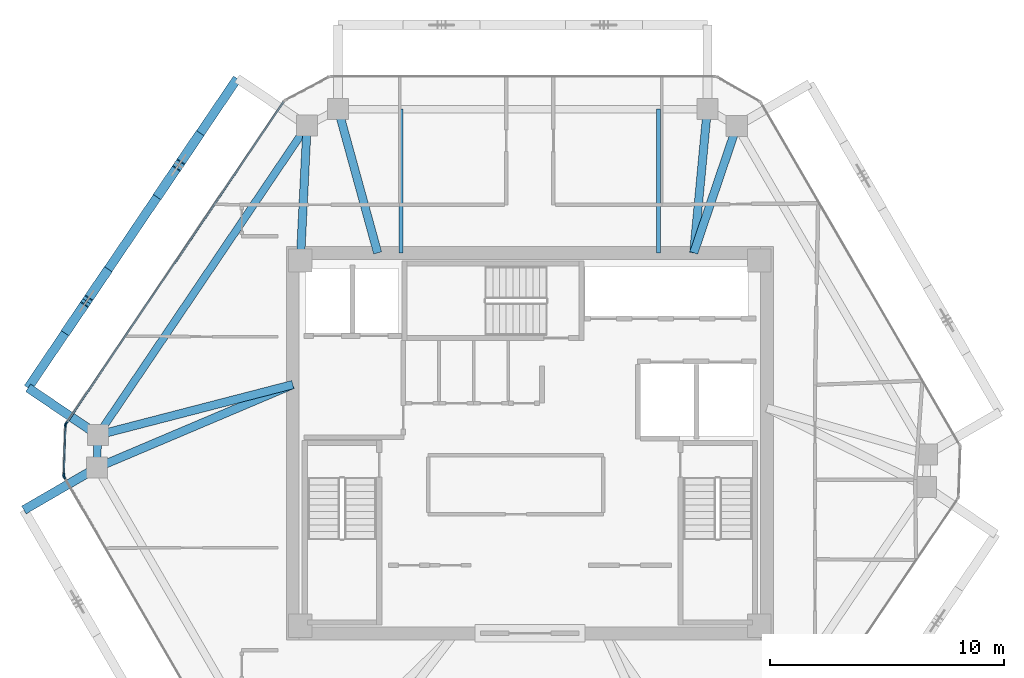
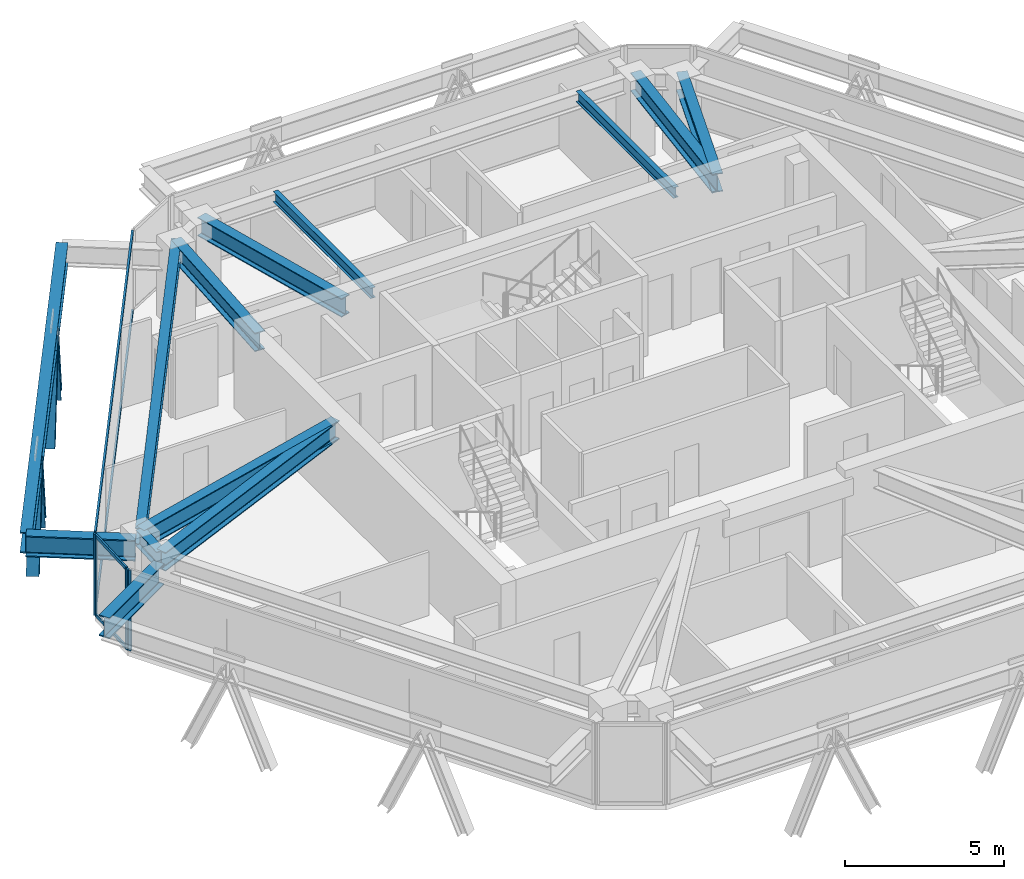
# One storey, part 4 of 14: 13 beams, 12 members, 3 elements without a shape of their own.
"""IFC4 building model written with IfcOpenShell, lengths in metres."""

from ifc_helpers import new_model, si_unit, direction, frame, origin, origin_2d, place, context, subcontext, project, spatial, rectangle, i_section, extrude, source, transform, mapped, material, layer, layer_set, material_profile, profile_set, type_object, type_shapes, element, aggregate, save


model = new_model("IFC4")

# Units and contexts
model_context = context("Model", 3, precision=1e-05, world=origin(), true_north=direction((0.0, 1.0)))
body_context = subcontext(model_context, "Body", "Model", "MODEL_VIEW")
ifc_project = project(units=[si_unit("LENGTHUNIT", "METRE"), si_unit("AREAUNIT", "SQUARE_METRE"), si_unit("VOLUMEUNIT", "CUBIC_METRE"), si_unit("PLANEANGLEUNIT", "RADIAN"), si_unit("MASSUNIT", "GRAM", prefix="KILO")], contexts=[model_context])

# Site, building, storey
site_placement = place(None, origin())
site = spatial("IfcSite", under=ifc_project, at=site_placement, CompositionType="ELEMENT")
building_placement = place(site_placement, origin())
building = spatial("IfcBuilding", under=site, at=building_placement, Name="Durnholm Broadcast Tower", CompositionType="ELEMENT")
storey_placement = place(building_placement, frame((0.0, 0.0, 261.5)))
storey = spatial("IfcBuildingStorey", under=building, at=storey_placement, Name="L73", CompositionType="ELEMENT", Elevation=261.5)

# Beams
ifc_material_1 = material(Name="Steel ASTM A992 Grade 50", Category="steel")
ifc_material_profile_1 = material_profile(ifc_material_1, i_section(OverallWidth=0.385009765625, OverallDepth=0.802978515625, WebThickness=0.023681640625, FlangeThickness=0.0419921875, FilletRadius=0.032958984375, at=origin_2d()), Name="W30X261")
ifc_profile_set_1 = profile_set([ifc_material_profile_1], Name="Steel ASTM A992 Grade 50")
beam_type_1 = type_object("IfcBeamType", Name="BM-EXO-TIE", PredefinedType="USERDEFINED", material=ifc_profile_set_1)
shared_shape_1 = source(origin(), body_context, "Body", "SweptSolid", [
    extrude(i_section(OverallWidth=0.385009765625, OverallDepth=0.802978515625, WebThickness=0.023681640625, FlangeThickness=0.0419921875, FilletRadius=0.032958984375, at=origin_2d()), origin(), (0.0, 0.0, 1.0), 3.4560546875),
])
for number, where, z_axis, x_axis, name in (
    (1, (-18.565673828125, 0.426513671875, 2.348388671875), (-0.828413564093, 0.56011692246, 0.0), (-0.56011692246, -0.828413564093, 0.0), "L73 exoskeleton stand-off tie bracket F5.2"),
    (2, (-18.618896484375, -1.1201171875, 2.348388671875), (-0.864876013532, -0.501985538852, 0.0), (0.501985538852, -0.864876013532, 0.0), "L73 exoskeleton stand-off tie bracket F6.1"),
):
    element("IfcBeam", number, at=place(storey_placement, frame(where, z_axis=z_axis, x_axis=x_axis)), inside=storey, type_object=beam_type_1, Name=name, ObjectType="GIRDER", PredefinedType="USERDEFINED", context=body_context, shape_type="MappedRepresentation", body=[
        mapped(shared_shape_1, transform((0.0, 0.0, 0.0), x_axis=(1.0, 0.0, 0.0), y_axis=(0.0, 1.0, 0.0), z_axis=(0.0, 0.0, 1.0), scale=1.0)),
    ])
ifc_material_profile_2 = material_profile(ifc_material_1, i_section(OverallWidth=0.3251953125, OverallDepth=0.6162109375, WebThickness=0.013916015625, FlangeThickness=0.021484375, FilletRadius=0.02783203125, at=origin_2d()), Name="W24X117")
ifc_profile_set_2 = profile_set([ifc_material_profile_2], Name="Steel ASTM A992 Grade 50")
beam_type_2 = type_object("IfcBeamType", Name="STL-SP-W24X117", PredefinedType="SPANDREL", material=ifc_profile_set_2)
shared_shape_2 = source(origin(), body_context, "Body", "SweptSolid", [
    extrude(i_section(OverallWidth=0.3251953125, OverallDepth=0.6162109375, WebThickness=0.013916015625, FlangeThickness=0.021484375, FilletRadius=0.02783203125, at=origin_2d()), origin(), (0.0, 0.0, 1.0), 1.39453125),
])
beam_1_placement = place(storey_placement, frame((-18.494384765625, -1.0478515625, 2.77685546875), z_axis=(0.034486393061, 0.999405167434, 0.0), x_axis=(-0.999405167434, 0.034486393061, 0.0)))
element("IfcBeam", 3, at=beam_1_placement, inside=storey, type_object=beam_type_2, Name="L73 perimeter spandrel girder 02", PredefinedType="SPANDREL", context=body_context, shape_type="MappedRepresentation", body=[
    mapped(shared_shape_2, transform((0.0, 0.0, 0.0), x_axis=(1.0, 0.0, 0.0), y_axis=(0.0, 1.0, 0.0), z_axis=(0.0, 0.0, 1.0), scale=1.0)),
])
shared_shape_3 = source(origin(), body_context, "Body", "SweptSolid", [
    extrude(i_section(OverallWidth=0.3251953125, OverallDepth=0.6162109375, WebThickness=0.013916015625, FlangeThickness=0.021484375, FilletRadius=0.02783203125, at=origin_2d()), origin(), (0.0, 0.0, 1.0), 15.947265625),
])
type_shapes(beam_type_2, [shared_shape_2, shared_shape_3])
beam_2_placement = place(storey_placement, frame((-18.4462890625, 0.345947265625, 2.77685546875), z_axis=(0.560062212489, 0.828450552623, 0.0), x_axis=(-0.828450552623, 0.560062212489, 0.0)))
element("IfcBeam", 4, at=beam_2_placement, inside=storey, type_object=beam_type_2, Name="L73 perimeter spandrel girder 03", PredefinedType="SPANDREL", context=body_context, shape_type="MappedRepresentation", body=[
    mapped(shared_shape_3, transform((0.0, 0.0, 0.0), x_axis=(1.0, 0.0, 0.0), y_axis=(0.0, 1.0, 0.0), z_axis=(0.0, 0.0, 1.0), scale=1.0)),
])
ifc_material_profile_3 = material_profile(ifc_material_1, i_section(OverallWidth=0.3564453125, OverallDepth=0.713623046875, WebThickness=0.01904296875, FlangeThickness=0.033935546875, FilletRadius=0.030517578125, at=origin_2d()), Name="W27X194")
ifc_profile_set_3 = profile_set([ifc_material_profile_3], Name="Steel ASTM A992 Grade 50")
beam_type_3 = type_object("IfcBeamType", Name="STL-GR-W27X194", PredefinedType="USERDEFINED", material=ifc_profile_set_3)
shared_shape_4 = source(origin(), body_context, "Body", "SweptSolid", [
    extrude(i_section(OverallWidth=0.3564453125, OverallDepth=0.713623046875, WebThickness=0.01904296875, FlangeThickness=0.033935546875, FilletRadius=0.030517578125, at=origin_2d()), origin(), (0.0, 0.0, 1.0), 5.764404296875),
])
beam_3_placement = place(storey_placement, frame((-9.800048828125, 7.800048828125, 2.728271484375), z_axis=(0.049468662109, 0.99877567625, 0.0), x_axis=(-0.99877567625, 0.049468662109, 0.0)))
element("IfcBeam", 5, at=beam_3_placement, inside=storey, type_object=beam_type_3, Name="L73 radial primary floor girder 04", ObjectType="GIRDER", PredefinedType="USERDEFINED", context=body_context, shape_type="MappedRepresentation", body=[
    mapped(shared_shape_4, transform((0.0, 0.0, 0.0), x_axis=(1.0, 0.0, 0.0), y_axis=(0.0, 1.0, 0.0), z_axis=(0.0, 0.0, 1.0), scale=1.0)),
])
shared_shape_5 = source(origin(), body_context, "Body", "SweptSolid", [
    extrude(i_section(OverallWidth=0.385009765625, OverallDepth=0.802978515625, WebThickness=0.023681640625, FlangeThickness=0.0419921875, FilletRadius=0.032958984375, at=origin_2d()), origin(), (0.0, 0.0, 1.0), 15.947021484375),
])
type_shapes(beam_type_1, [shared_shape_1, shared_shape_5])
beam_4_placement = place(storey_placement, frame((-12.497314453125, 15.573486328125, 2.348388671875), z_axis=(-0.560069315853, -0.828445750451, 0.0), x_axis=(0.828445750451, -0.560069315853, 0.0)))
element("IfcBeam", 6, at=beam_4_placement, inside=storey, type_object=beam_type_1, Name="L73 exoskeleton collector spandrel F5", PredefinedType="SPANDREL", context=body_context, shape_type="MappedRepresentation", body=[
    mapped(shared_shape_5, transform((0.0, 0.0, 0.0), x_axis=(1.0, 0.0, 0.0), y_axis=(0.0, 1.0, 0.0), z_axis=(0.0, 0.0, 1.0), scale=1.0)),
])
shared_shape_6 = source(origin(), body_context, "Body", "SweptSolid", [
    extrude(i_section(OverallWidth=0.3564453125, OverallDepth=0.713623046875, WebThickness=0.01904296875, FlangeThickness=0.033935546875, FilletRadius=0.030517578125, at=origin_2d()), origin(), (0.0, 0.0, 1.0), 9.09033203125),
])
beam_5_placement = place(storey_placement, frame((-10.125, 2.5, 2.728271484375), z_axis=(-0.920692350722, -0.390289117607, 0.0), x_axis=(0.390289117607, -0.920692350722, 0.0)))
element("IfcBeam", 7, at=beam_5_placement, inside=storey, type_object=beam_type_3, Name="L73 radial primary floor girder 02", ObjectType="GIRDER", PredefinedType="USERDEFINED", context=body_context, shape_type="MappedRepresentation", body=[
    mapped(shared_shape_6, transform((0.0, 0.0, 0.0), x_axis=(1.0, 0.0, 0.0), y_axis=(0.0, 1.0, 0.0), z_axis=(0.0, 0.0, 1.0), scale=1.0)),
])
shared_shape_7 = source(origin(), body_context, "Body", "SweptSolid", [
    extrude(i_section(OverallWidth=0.3564453125, OverallDepth=0.713623046875, WebThickness=0.01904296875, FlangeThickness=0.033935546875, FilletRadius=0.030517578125, at=origin_2d()), origin(), (0.0, 0.0, 1.0), 8.595458984375),
])
beam_6_placement = place(storey_placement, frame((-10.125, 2.5, 2.728271484375), z_axis=(-0.968090619149, -0.250600385306, 0.0), x_axis=(0.250600385306, -0.968090619149, 0.0)))
element("IfcBeam", 8, at=beam_6_placement, inside=storey, type_object=beam_type_3, Name="L73 radial primary floor girder 03", ObjectType="GIRDER", PredefinedType="USERDEFINED", context=body_context, shape_type="MappedRepresentation", body=[
    mapped(shared_shape_7, transform((0.0, 0.0, 0.0), x_axis=(1.0, 0.0, 0.0), y_axis=(0.0, 1.0, 0.0), z_axis=(0.0, 0.0, 1.0), scale=1.0)),
])
shared_shape_8 = source(origin(), body_context, "Body", "SweptSolid", [
    extrude(i_section(OverallWidth=0.3564453125, OverallDepth=0.713623046875, WebThickness=0.01904296875, FlangeThickness=0.033935546875, FilletRadius=0.030517578125, at=origin_2d()), origin(), (0.0, 0.0, 1.0), 6.36474609375),
])
beam_7_placement = place(storey_placement, frame((-6.5, 8.125, 2.728271484375), z_axis=(-0.265168072834, 0.96420220553, 0.0), x_axis=(-0.96420220553, -0.265168072834, 0.0)))
element("IfcBeam", 9, at=beam_7_placement, inside=storey, type_object=beam_type_3, Name="L73 radial primary floor girder 05", ObjectType="GIRDER", PredefinedType="USERDEFINED", context=body_context, shape_type="MappedRepresentation", body=[
    mapped(shared_shape_8, transform((0.0, 0.0, 0.0), x_axis=(1.0, 0.0, 0.0), y_axis=(0.0, 1.0, 0.0), z_axis=(0.0, 0.0, 1.0), scale=1.0)),
])
shared_shape_9 = source(origin(), body_context, "Body", "SweptSolid", [
    extrude(i_section(OverallWidth=0.3564453125, OverallDepth=0.713623046875, WebThickness=0.01904296875, FlangeThickness=0.033935546875, FilletRadius=0.030517578125, at=origin_2d()), origin(), (0.0, 0.0, 1.0), 6.164306640625),
])
beam_8_placement = place(storey_placement, frame((7.0, 8.125, 2.728271484375), z_axis=(0.094024068139, 0.995569924521, 0.0), x_axis=(-0.995569924521, 0.094024068139, 0.0)))
element("IfcBeam", 10, at=beam_8_placement, inside=storey, type_object=beam_type_3, Name="L73 radial primary floor girder 06", ObjectType="GIRDER", PredefinedType="USERDEFINED", context=body_context, shape_type="MappedRepresentation", body=[
    mapped(shared_shape_9, transform((0.0, 0.0, 0.0), x_axis=(1.0, 0.0, 0.0), y_axis=(0.0, 1.0, 0.0), z_axis=(0.0, 0.0, 1.0), scale=1.0)),
])
shared_shape_10 = source(origin(), body_context, "Body", "SweptSolid", [
    extrude(i_section(OverallWidth=0.3564453125, OverallDepth=0.713623046875, WebThickness=0.01904296875, FlangeThickness=0.033935546875, FilletRadius=0.030517578125, at=origin_2d()), origin(), (0.0, 0.0, 1.0), 5.716064453125),
])
type_shapes(beam_type_3, [shared_shape_4, shared_shape_6, shared_shape_7, shared_shape_8, shared_shape_9, shared_shape_10])
beam_9_placement = place(storey_placement, frame((7.0, 8.125, 2.728271484375), z_axis=(0.321450919754, 0.946926241156, 0.0), x_axis=(-0.946926241156, 0.321450919754, 0.0)))
element("IfcBeam", 11, at=beam_9_placement, inside=storey, type_object=beam_type_3, Name="L73 radial primary floor girder 07", ObjectType="GIRDER", PredefinedType="USERDEFINED", context=body_context, shape_type="MappedRepresentation", body=[
    mapped(shared_shape_10, transform((0.0, 0.0, 0.0), x_axis=(1.0, 0.0, 0.0), y_axis=(0.0, 1.0, 0.0), z_axis=(0.0, 0.0, 1.0), scale=1.0)),
])
ifc_material_profile_4 = material_profile(ifc_material_1, i_section(OverallWidth=0.177734375, OverallDepth=0.40673828125, WebThickness=0.0078125, FlangeThickness=0.0126953125, FilletRadius=0.01904296875, at=origin_2d()), Name="W16X40")
ifc_profile_set_4 = profile_set([ifc_material_profile_4], Name="Steel ASTM A992 Grade 50")
beam_type_4 = type_object("IfcBeamType", Name="STL-BJ-W16X40", PredefinedType="JOIST", material=ifc_profile_set_4)
shared_shape_11 = source(origin(), body_context, "Body", "SweptSolid", [
    extrude(i_section(OverallWidth=0.177734375, OverallDepth=0.40673828125, WebThickness=0.0078125, FlangeThickness=0.0126953125, FilletRadius=0.01904296875, at=origin_2d()), origin(), (0.0, 0.0, 1.0), 6.136962890625),
])
type_shapes(beam_type_4, [shared_shape_11])
for number, where, z_axis, x_axis, name in (
    (12, (-5.5, 8.125, 2.881591796875), (0.0, 1.0, 0.0), (-1.0, 0.0, 0.0), "L73 secondary floor joist 3.2"),
    (13, (5.5, 8.125, 2.881591796875), (0.0, 1.0, 0.0), (-1.0, 0.0, 0.0), "L73 secondary floor joist 4.2"),
):
    element("IfcBeam", number, at=place(storey_placement, frame(where, z_axis=z_axis, x_axis=x_axis)), inside=storey, type_object=beam_type_4, Name=name, PredefinedType="JOIST", context=body_context, shape_type="MappedRepresentation", body=[
        mapped(shared_shape_11, transform((0.0, 0.0, 0.0), x_axis=(1.0, 0.0, 0.0), y_axis=(0.0, 1.0, 0.0), z_axis=(0.0, 0.0, 1.0), scale=1.0)),
    ])

# Members
ifc_material_2 = material(Name="Steel ASTM A913 Grade 65", Category="steel")
ifc_material_profile_5 = material_profile(ifc_material_2, i_section(OverallWidth=0.40625, OverallDepth=0.416015625, WebThickness=0.02978515625, FlangeThickness=0.048095703125, FilletRadius=0.030517578125, at=origin_2d()), Name="W14X257")
ifc_profile_set_5 = profile_set([ifc_material_profile_5], Name="Steel ASTM A913 Grade 65")
member_type_1 = type_object("IfcMemberType", Name="STL-DG-W14X257", PredefinedType="BRACE", material=ifc_profile_set_5)
shared_shape_12 = source(origin(), body_context, "Body", "SweptSolid", [
    extrude(i_section(OverallWidth=0.40625, OverallDepth=0.416015625, WebThickness=0.02978515625, FlangeThickness=0.048095703125, FilletRadius=0.030517578125, at=origin_2d()), origin(), (0.0, 0.0, 1.0), 3.644287109375),
])
type_shapes(member_type_1, [shared_shape_12])
for number, where, z_axis, x_axis, name in (
    (14, (-14.181396484375, 13.08251953125, -0.991455078125), (-0.224086200868, -0.331540391059, 0.916442220588), (0.828505003222, -0.559981660089, 0.0), "L73 stand-off diagrid brace F5.D1.1"),
    (15, (-15.814697265625, 10.666259765625, -0.991455078125), (0.224091177564, 0.331480761311, 0.916462573714), (-0.828452496411, 0.560059337206, 0.0), "L73 stand-off diagrid brace F5.D1.2"),
    (16, (-18.111328125, 7.269287109375, -0.991455078125), (-0.224091177564, -0.331480761311, 0.916462573714), (0.828452496411, -0.560059337206, 0.0), "L73 stand-off diagrid brace F5.D2.1"),
    (17, (-19.74462890625, 4.853271484375, -0.991455078125), (0.224091177564, 0.331480761311, 0.916462573714), (-0.828452496411, 0.560059337206, 0.0), "L73 stand-off diagrid brace F5.D2.2"),
):
    element("IfcMember", number, at=place(storey_placement, frame(where, z_axis=z_axis, x_axis=x_axis)), inside=storey, type_object=member_type_1, Name=name, PredefinedType="BRACE", context=body_context, shape_type="MappedRepresentation", body=[
        mapped(shared_shape_12, transform((0.0, 0.0, 0.0), x_axis=(1.0, 0.0, 0.0), y_axis=(0.0, 1.0, 0.0), z_axis=(0.0, 0.0, 1.0), scale=1.0)),
    ])

# Curtain wall, members
ifc_material_3 = material(Name="Aluminium and Solar Control IGU", Category="aluminium")
ifc_layer_1 = layer(ifc_material_3, 0.1650390625)
ifc_layer_set_1 = layer_set([ifc_layer_1], Name="Aluminium and Solar Control IGU")
curtain_wall_type_1 = type_object("IfcCurtainWallType", Name="CW-SYS-5", PredefinedType="NOTDEFINED", material=ifc_layer_set_1)
curtain_wall_1_placement = place(storey_placement, origin())
curtain_wall_1 = element("IfcCurtainWall", 18, at=curtain_wall_1_placement, inside=storey, type_object=curtain_wall_type_1, Name="L73 curtain wall CW-CORNER CW-L73-CRN-01", PredefinedType="NOTDEFINED")
ifc_material_4 = material(Name="Aluminium 6063-T6", Category="aluminium")
ifc_material_profile_6 = material_profile(ifc_material_4, rectangle(XDim=0.06494140625, YDim=0.1298828125, at=origin_2d()), Name="CWT65X130")
ifc_profile_set_6 = profile_set([ifc_material_profile_6], Name="Aluminium 6063-T6")
member_type_2 = type_object("IfcMemberType", Name="CW-SYS-5-TRN", PredefinedType="USERDEFINED", material=ifc_profile_set_6)
shared_shape_13 = source(origin(), body_context, "Body", "SweptSolid", [
    extrude(rectangle(XDim=0.06494140625, YDim=0.1298828125, at=origin_2d()), origin(), (0.0, 0.0, 1.0), 2.070068359375),
])
type_shapes(member_type_2, [shared_shape_13])
member_1_placement = place(storey_placement, frame((-19.905029296875, -1.33740234375, 0.032470703125), z_axis=(0.034320104965, 0.999410891673, 0.0), x_axis=(-0.999410891673, 0.034320104965, 0.0)))
member_1 = element("IfcMember", 19, at=member_1_placement, type_object=member_type_2, Name="CW-CORNER transom 1.1", ObjectType="TRANSOM", PredefinedType="USERDEFINED", context=body_context, shape_type="MappedRepresentation", body=[
    mapped(shared_shape_13, transform((0.0, 0.0, 0.0), x_axis=(1.0, 0.0, 0.0), y_axis=(0.0, 1.0, 0.0), z_axis=(0.0, 0.0, 1.0), scale=1.0)),
])
member_2_placement = place(storey_placement, frame((-19.905029296875, -1.33740234375, 3.0673828125), z_axis=(0.034320104965, 0.999410891673, 0.0), x_axis=(-0.999410891673, 0.034320104965, 0.0)))
member_2 = element("IfcMember", 20, at=member_2_placement, type_object=member_type_2, Name="CW-CORNER transom 1.2", ObjectType="TRANSOM", PredefinedType="USERDEFINED", context=body_context, shape_type="MappedRepresentation", body=[
    mapped(shared_shape_13, transform((0.0, 0.0, 0.0), x_axis=(1.0, 0.0, 0.0), y_axis=(0.0, 1.0, 0.0), z_axis=(0.0, 0.0, 1.0), scale=1.0)),
])

ifc_layer_2 = layer(ifc_material_3, 0.18994140625)
ifc_layer_set_2 = layer_set([ifc_layer_2], Name="Aluminium and Solar Control IGU")
curtain_wall_type_2 = type_object("IfcCurtainWallType", Name="CW-SYS-4", PredefinedType="NOTDEFINED", material=ifc_layer_set_2)
curtain_wall_2_placement = place(storey_placement, origin())
curtain_wall_2 = element("IfcCurtainWall", 21, at=curtain_wall_2_placement, inside=storey, type_object=curtain_wall_type_2, Name="L73 curtain wall CW-Z34-VIS CW-L73-F02", PredefinedType="NOTDEFINED")
ifc_material_profile_7 = material_profile(ifc_material_4, rectangle(XDim=0.070068359375, YDim=0.14990234375, at=origin_2d()), Name="CWT70X150")
ifc_profile_set_7 = profile_set([ifc_material_profile_7], Name="Aluminium 6063-T6")
member_type_3 = type_object("IfcMemberType", Name="CW-SYS-4-TRN", PredefinedType="USERDEFINED", material=ifc_profile_set_7)
shared_shape_14 = source(origin(), body_context, "Body", "SweptSolid", [
    extrude(rectangle(XDim=0.070068359375, YDim=0.14990234375, at=origin_2d()), origin(), (0.0, 0.0, 1.0), 16.55859375),
])
type_shapes(member_type_3, [shared_shape_14])
member_3_placement = place(storey_placement, frame((-19.79248046875, 0.8544921875, 0.034912109375), z_axis=(0.560071338091, 0.828444383317, 0.0), x_axis=(-0.828444383317, 0.560071338091, 0.0)))
member_3 = element("IfcMember", 22, at=member_3_placement, type_object=member_type_3, Name="CW-Z34-VIS transom 1.1", ObjectType="TRANSOM", PredefinedType="USERDEFINED", context=body_context, shape_type="MappedRepresentation", body=[
    mapped(shared_shape_14, transform((0.0, 0.0, 0.0), x_axis=(1.0, 0.0, 0.0), y_axis=(0.0, 1.0, 0.0), z_axis=(0.0, 0.0, 1.0), scale=1.0)),
])
member_4_placement = place(storey_placement, frame((-19.79248046875, 0.8544921875, 3.06494140625), z_axis=(0.560071338091, 0.828444383317, 0.0), x_axis=(-0.828444383317, 0.560071338091, 0.0)))
member_4 = element("IfcMember", 23, at=member_4_placement, type_object=member_type_3, Name="CW-Z34-VIS transom 1.2", ObjectType="TRANSOM", PredefinedType="USERDEFINED", context=body_context, shape_type="MappedRepresentation", body=[
    mapped(shared_shape_14, transform((0.0, 0.0, 0.0), x_axis=(1.0, 0.0, 0.0), y_axis=(0.0, 1.0, 0.0), z_axis=(0.0, 0.0, 1.0), scale=1.0)),
])

# Member
ifc_material_profile_8 = material_profile(ifc_material_4, rectangle(XDim=0.06494140625, YDim=0.1650390625, at=origin_2d()), Name="CWM65X165")
ifc_profile_set_8 = profile_set([ifc_material_profile_8], Name="Aluminium 6063-T6")
member_type_4 = type_object("IfcMemberType", Name="CW-SYS-5-MUL", PredefinedType="MULLION", material=ifc_profile_set_8)
shared_shape_15 = source(origin(), body_context, "Body", "SweptSolid", [
    extrude(rectangle(XDim=0.06494140625, YDim=0.1650390625, at=origin_2d()), origin(), (0.0, 0.0, 1.0), 3.10009765625),
])
type_shapes(member_type_4, [shared_shape_15])
member_5_placement = place(storey_placement, frame((-19.90625, -1.369873046875, 0.0), z_axis=(0.0, 0.0, 1.0), x_axis=(-0.999410955514, 0.034318245849, 0.0)))
member_5 = element("IfcMember", 24, at=member_5_placement, type_object=member_type_4, Name="CW-CORNER mullion 1", PredefinedType="MULLION", context=body_context, shape_type="MappedRepresentation", body=[
    mapped(shared_shape_15, transform((0.0, 0.0, 0.0), x_axis=(1.0, 0.0, 0.0), y_axis=(0.0, 1.0, 0.0), z_axis=(0.0, 0.0, 1.0), scale=1.0)),
])

member_6_placement = place(storey_placement, frame((-19.8330078125, 0.763916015625, 0.0), z_axis=(0.0, 0.0, 1.0), x_axis=(-0.999410955514, 0.034318245849, 0.0)))
member_6 = element("IfcMember", 25, at=member_6_placement, type_object=member_type_4, Name="CW-CORNER mullion 2", PredefinedType="MULLION", context=body_context, shape_type="MappedRepresentation", body=[
    mapped(shared_shape_15, transform((0.0, 0.0, 0.0), x_axis=(1.0, 0.0, 0.0), y_axis=(0.0, 1.0, 0.0), z_axis=(0.0, 0.0, 1.0), scale=1.0)),
])

aggregate(curtain_wall_1, [member_5, member_6, member_1, member_2])

ifc_material_profile_9 = material_profile(ifc_material_4, rectangle(XDim=0.070068359375, YDim=0.18994140625, at=origin_2d()), Name="CWM70X190")
ifc_profile_set_9 = profile_set([ifc_material_profile_9], Name="Aluminium 6063-T6")
member_type_5 = type_object("IfcMemberType", Name="CW-SYS-4-MUL", PredefinedType="MULLION", material=ifc_profile_set_9)
shared_shape_16 = source(origin(), body_context, "Body", "SweptSolid", [
    extrude(rectangle(XDim=0.070068359375, YDim=0.18994140625, at=origin_2d()), origin(), (0.0, 0.0, 1.0), 3.10009765625),
])
type_shapes(member_type_5, [shared_shape_16])
member_7_placement = place(storey_placement, frame((-19.812255859375, 0.825439453125, 0.0), z_axis=(0.0, 0.0, 1.0), x_axis=(-0.828443431662, 0.560072745753, 0.0)))
member_7 = element("IfcMember", 26, at=member_7_placement, type_object=member_type_5, Name="CW-Z34-VIS mullion 1", PredefinedType="MULLION", context=body_context, shape_type="MappedRepresentation", body=[
    mapped(shared_shape_16, transform((0.0, 0.0, 0.0), x_axis=(1.0, 0.0, 0.0), y_axis=(0.0, 1.0, 0.0), z_axis=(0.0, 0.0, 1.0), scale=1.0)),
])

aggregate(curtain_wall_2, [member_7, member_3, member_4])

# Curtain wall, member
curtain_wall_3_placement = place(storey_placement, origin())
curtain_wall_3 = element("IfcCurtainWall", 27, at=curtain_wall_3_placement, inside=storey, type_object=curtain_wall_type_2, Name="L73 curtain wall CW-Z34-VIS CW-L73-F12", PredefinedType="NOTDEFINED")
member_8_placement = place(storey_placement, frame((-19.8896484375, -1.4326171875, 0.0), z_axis=(0.0, 0.0, 1.0), x_axis=(-0.864899883824, -0.50194441023, 0.0)))
member_8 = element("IfcMember", 28, at=member_8_placement, type_object=member_type_5, Name="CW-Z34-VIS mullion 2", PredefinedType="MULLION", context=body_context, shape_type="MappedRepresentation", body=[
    mapped(shared_shape_16, transform((0.0, 0.0, 0.0), x_axis=(1.0, 0.0, 0.0), y_axis=(0.0, 1.0, 0.0), z_axis=(0.0, 0.0, 1.0), scale=1.0)),
])
aggregate(curtain_wall_3, [member_8])

save(model, "model.ifc")
